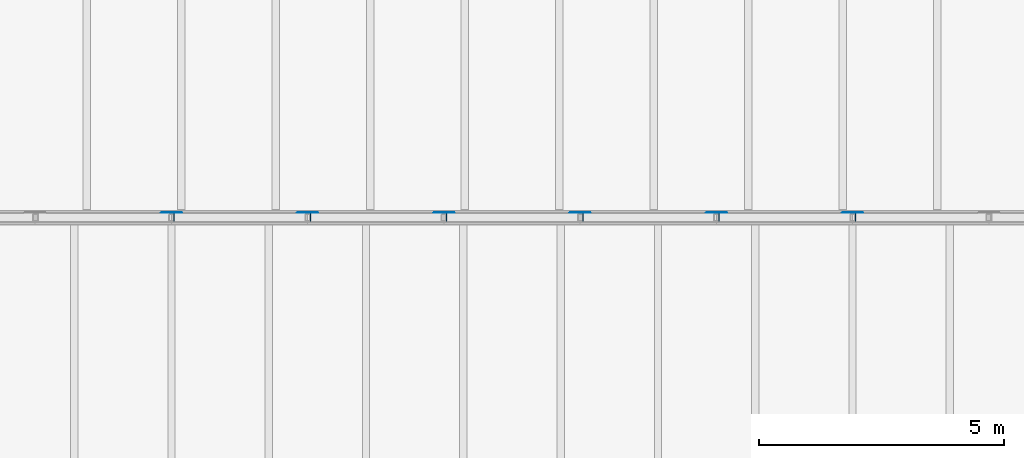
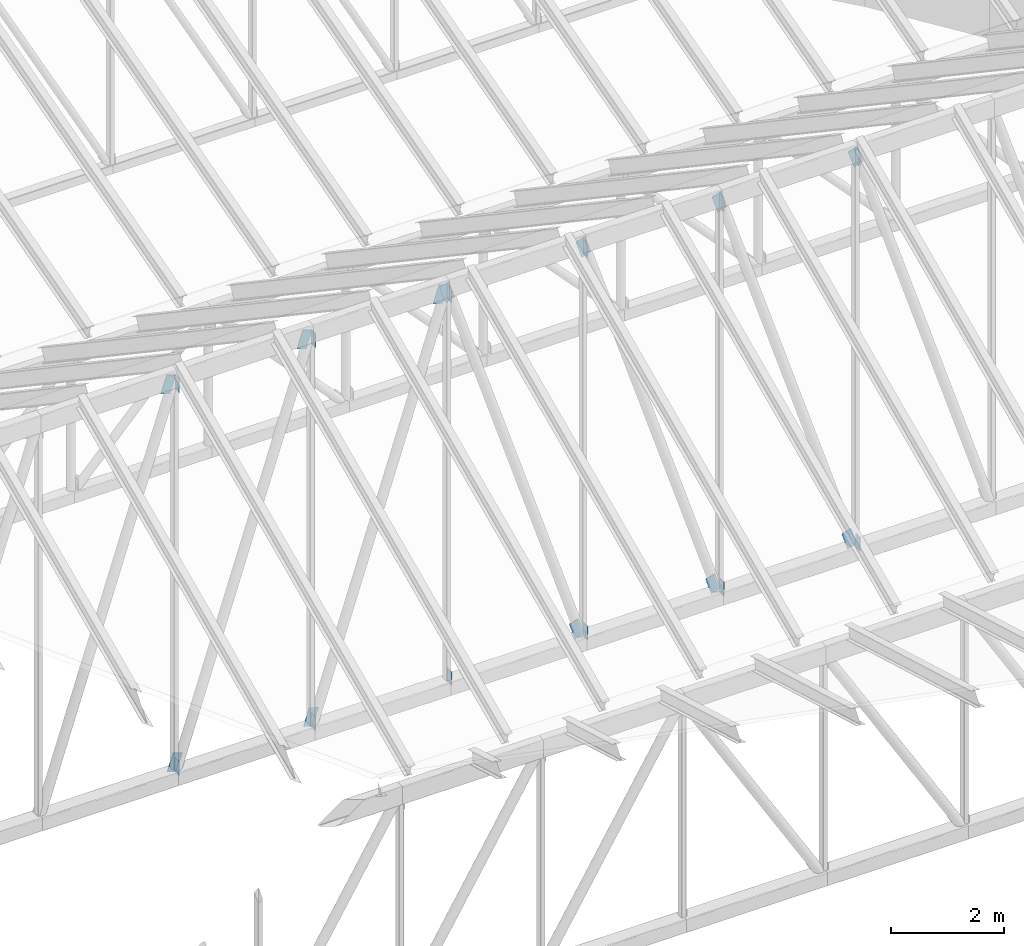
# One storey, part 54 of 68: 24 discrete accessories.
"""IFC4 building model written with IfcOpenShell, lengths in metres."""

from ifc_helpers import new_model, si_unit, direction, frame, origin, origin_2d, place, context, subcontext, project, spatial, rectangle, extrude, material, material_profile, profile_set, type_object, element, save


model = new_model("IFC4")

# Units and contexts
model_context = context("Model", 3, precision=1e-05, world=origin(), true_north=direction((0.0, 1.0)))
body_context = subcontext(model_context, "Body", "Model", "MODEL_VIEW")
ifc_project = project(units=[si_unit("LENGTHUNIT", "METRE"), si_unit("AREAUNIT", "SQUARE_METRE"), si_unit("VOLUMEUNIT", "CUBIC_METRE"), si_unit("PLANEANGLEUNIT", "RADIAN"), si_unit("MASSUNIT", "GRAM", prefix="KILO")], contexts=[model_context])

# Site, building, storey
site_placement = place(None, origin())
site = spatial("IfcSite", under=ifc_project, at=site_placement, CompositionType="ELEMENT")
building_placement = place(site_placement, origin())
building = spatial("IfcBuilding", under=site, at=building_placement, Name="Larchfold Concert Hall", CompositionType="ELEMENT")
storey_placement = place(building_placement, frame((0.0, 0.0, 28.800048828125)))
storey = spatial("IfcBuildingStorey", under=building, at=storey_placement, Name="L06", CompositionType="ELEMENT", Elevation=28.800048828125)

# Discrete accessories
ifc_material_1 = material(Name="Steel S355 galvanised bracket", Category="steel")
ifc_material_profile_1 = material_profile(ifc_material_1, rectangle(XDim=0.011962890625, YDim=0.14990234375, at=origin_2d()))
ifc_profile_set_1 = profile_set([ifc_material_profile_1], Name="Steel S355 galvanised bracket")
discrete_accessory_type_1 = type_object("IfcDiscreteAccessoryType", Name="Gusset plate 12x150", PredefinedType="BRACKET", material=ifc_profile_set_1)
for number, where, z_axis, x_axis, name in (
    (1, (35.711181640625, 93.60009765625, 8.579833984375), (0.0, 0.0, -1.0), (1.0, 0.0, 0.0), "Gusset plate GP0387"),
    (2, (35.711181640625, 93.60009765625, 0.320068359375), (0.0, 0.0, -1.0), (1.0, 0.0, 0.0), "Gusset plate GP0388"),
    (3, (38.489013671875, 93.60009765625, 8.579833984375), (0.0, 0.0, -1.0), (1.0, 0.0, 0.0), "Gusset plate GP0389"),
    (4, (38.489013671875, 93.60009765625, 0.320068359375), (0.0, 0.0, -1.0), (1.0, 0.0, 0.0), "Gusset plate GP0390"),
    (5, (41.26708984375, 93.60009765625, 8.579833984375), (0.0, 0.0, -1.0), (1.0, 0.0, 0.0), "Gusset plate GP0391"),
    (6, (41.26708984375, 93.60009765625, 0.320068359375), (0.0, 0.0, -1.0), (1.0, 0.0, 0.0), "Gusset plate GP0392"),
    (7, (44.044921875, 93.60009765625, 8.579833984375), (0.0, 0.0, -1.0), (1.0, 0.0, 0.0), "Gusset plate GP0393"),
    (8, (44.044921875, 93.60009765625, 0.320068359375), (0.0, 0.0, -1.0), (1.0, 0.0, 0.0), "Gusset plate GP0394"),
    (9, (46.822998046875, 93.60009765625, 8.599853515625), (0.0, 0.0, -1.0), (1.0, 0.0, 0.0), "Gusset plate GP0395"),
    (10, (46.822998046875, 93.60009765625, 0.300048828125), (0.0, 0.0, -1.0), (1.0, 0.0, 0.0), "Gusset plate GP0396"),
    (11, (49.600830078125, 93.60009765625, 8.599853515625), (0.0, 0.0, -1.0), (1.0, 0.0, 0.0), "Gusset plate GP0397"),
    (12, (49.600830078125, 93.60009765625, 0.300048828125), (0.0, 0.0, -1.0), (1.0, 0.0, 0.0), "Gusset plate GP0398"),
):
    element("IfcDiscreteAccessory", number, at=place(storey_placement, frame(where, z_axis=z_axis, x_axis=x_axis)), inside=storey, type_object=discrete_accessory_type_1, Name=name, PredefinedType="BRACKET", context=body_context, shape_type="SweptSolid", body=[
        extrude(rectangle(XDim=0.011962890625, YDim=0.14990234375, at=origin_2d()), origin(), (0.0, 0.0, 1.0), 0.300048828125),
    ])
ifc_material_2 = material(Name="Steel S355 galvanised bracket", Category="steel")
ifc_material_profile_2 = material_profile(ifc_material_2, rectangle(XDim=0.011962890625, YDim=0.199951171875, at=origin_2d()))
ifc_profile_set_2 = profile_set([ifc_material_profile_2], Name="Steel S355 galvanised bracket")
discrete_accessory_type_2 = type_object("IfcDiscreteAccessoryType", Name="Gusset plate 12x200", PredefinedType="BRACKET", material=ifc_profile_set_2)
for number, where, z_axis, x_axis, name in (
    (13, (35.530029296875, 93.702880859375, 8.212158203125), (0.307518266655, 0.0, 0.951542177559), (0.0, 1.0, 0.0), "Gusset plate GP0422"),
    (14, (35.661376953125, 93.702880859375, 0.01904296875), (0.307518266655, 0.0, 0.951542177559), (0.0, 1.0, 0.0), "Gusset plate GP0423"),
    (15, (38.307861328125, 93.702880859375, 8.212158203125), (0.307518266655, 0.0, 0.951542177559), (0.0, 1.0, 0.0), "Gusset plate GP0424"),
    (16, (38.439208984375, 93.702880859375, 0.01904296875), (0.307518266655, 0.0, 0.951542177559), (0.0, 1.0, 0.0), "Gusset plate GP0425"),
    (17, (41.0859375, 93.702880859375, 8.212158203125), (0.307518266655, 0.0, 0.951542177559), (0.0, 1.0, 0.0), "Gusset plate GP0426"),
    (18, (41.21728515625, 93.702880859375, 8.580810546875), (0.307518266655, 0.0, -0.951542177559), (0.0, 1.0, 0.0), "Gusset plate GP0427"),
    (19, (43.86376953125, 93.702880859375, 0.3876953125), (0.307518266655, 0.0, -0.951542177559), (0.0, 1.0, 0.0), "Gusset plate GP0428"),
    (20, (43.9951171875, 93.702880859375, 8.580810546875), (0.307518266655, 0.0, -0.951542177559), (0.0, 1.0, 0.0), "Gusset plate GP0429"),
    (21, (46.641845703125, 93.702880859375, 0.3876953125), (0.307518266655, 0.0, -0.951542177559), (0.0, 1.0, 0.0), "Gusset plate GP0430"),
    (22, (46.773193359375, 93.702880859375, 8.580810546875), (0.307518266655, 0.0, -0.951542177559), (0.0, 1.0, 0.0), "Gusset plate GP0431"),
    (23, (49.419677734375, 93.702880859375, 0.3876953125), (0.307518266655, 0.0, -0.951542177559), (0.0, 1.0, 0.0), "Gusset plate GP0432"),
    (24, (49.551025390625, 93.702880859375, 8.580810546875), (0.307518266655, 0.0, -0.951542177559), (0.0, 1.0, 0.0), "Gusset plate GP0433"),
):
    element("IfcDiscreteAccessory", number, at=place(storey_placement, frame(where, z_axis=z_axis, x_axis=x_axis)), inside=storey, type_object=discrete_accessory_type_2, Name=name, PredefinedType="BRACKET", context=body_context, shape_type="SweptSolid", body=[
        extrude(rectangle(XDim=0.011962890625, YDim=0.199951171875, at=origin_2d()), origin(), (0.0, 0.0, 1.0), 0.387451171875),
    ])

save(model, "model.ifc")
